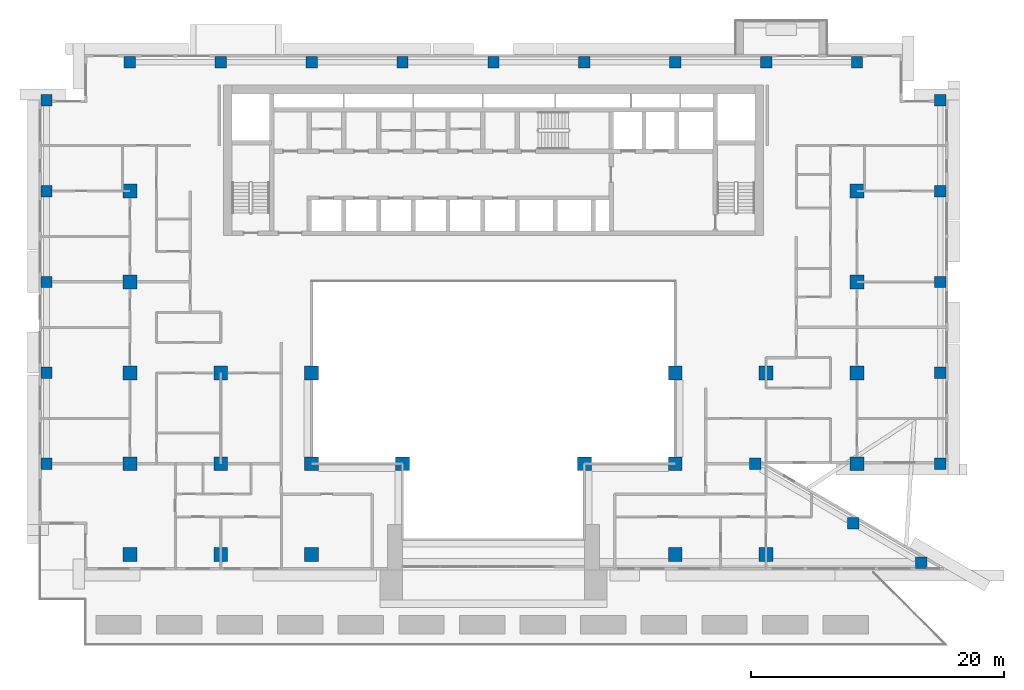
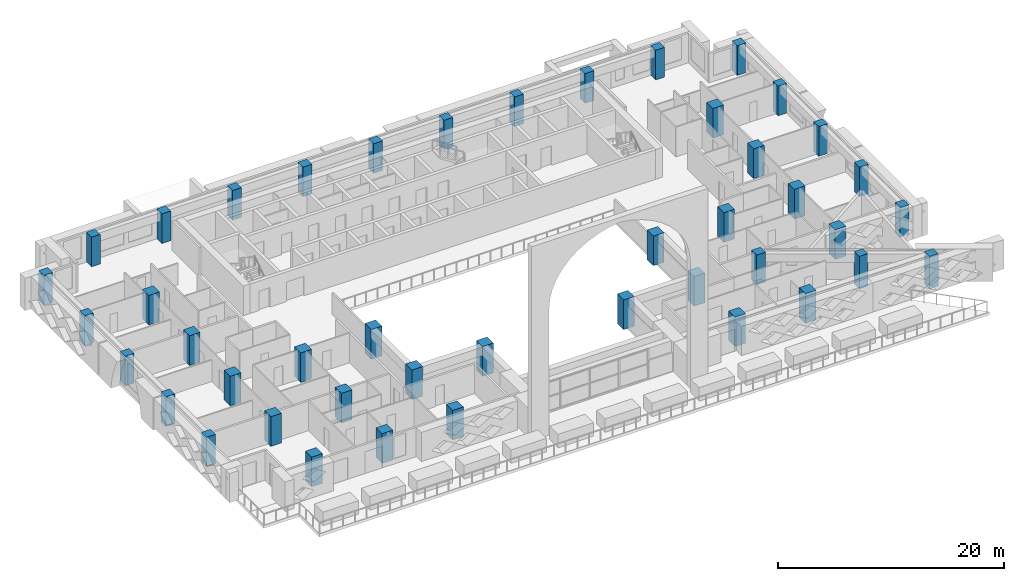
# One storey, part 1 of 17: 44 columns.
"""IFC4 building model written with IfcOpenShell, lengths in metres."""

from ifc_helpers import new_model, si_unit, direction, frame, origin, origin_2d, place, context, subcontext, project, spatial, rectangle, extrude, source, transform, mapped, material, material_profile, profile_set, type_object, element, save


model = new_model("IFC4")

# Units and contexts
model_context = context("Model", 3, precision=1e-05, world=origin(), true_north=direction((0.0, 1.0)))
body_context = subcontext(model_context, "Body", "Model", "MODEL_VIEW")
ifc_project = project(units=[si_unit("LENGTHUNIT", "METRE"), si_unit("AREAUNIT", "SQUARE_METRE"), si_unit("VOLUMEUNIT", "CUBIC_METRE"), si_unit("PLANEANGLEUNIT", "RADIAN"), si_unit("MASSUNIT", "GRAM", prefix="KILO")], contexts=[model_context])

# Site, building, storey
site_placement = place(None, origin())
site = spatial("IfcSite", under=ifc_project, at=site_placement, CompositionType="ELEMENT")
building_placement = place(site_placement, origin())
building = spatial("IfcBuilding", under=site, at=building_placement, Name="Saffron Iwan Residences", CompositionType="ELEMENT")
storey_placement = place(building_placement, frame((0.0, 0.0, 113.0)))
storey = spatial("IfcBuildingStorey", under=building, at=storey_placement, Name="L29", CompositionType="ELEMENT", Elevation=113.0)

# Columns
ifc_material = material(Name="Concrete C50/60", Category="concrete")
ifc_material_profile_1 = material_profile(ifc_material, rectangle(XDim=0.89990234375, YDim=0.89990234375, at=origin_2d()), Name="RC 900x900")
ifc_profile_set_1 = profile_set([ifc_material_profile_1], Name="Concrete C50/60")
column_type_1 = type_object("IfcColumnType", Name="COL RC 900x900 C50/60 3500 HIGH", PredefinedType="COLUMN", material=ifc_profile_set_1)
shared_shape_1 = source(origin(), body_context, "Body", "SweptSolid", [
    extrude(rectangle(XDim=0.89990234375, YDim=0.89990234375, at=origin_2d()), origin(), (0.0, 0.0, 1.0), 3.5),
])
for number, where, z_axis, x_axis, name in (
    (1, (84.276123046875, 40.17431640625, -0.300048828125), (0.0, 0.0, 1.0), (1.0, 0.0, 0.0), "Column C045"),
    (2, (78.897705078125, 43.28173828125, -0.300048828125), (0.0, 0.0, 1.0), (1.0, 0.0, 0.0), "Column C058"),
):
    element("IfcColumn", number, at=place(storey_placement, frame(where, z_axis=z_axis, x_axis=x_axis)), inside=storey, type_object=column_type_1, Name=name, PredefinedType="COLUMN", context=body_context, shape_type="MappedRepresentation", body=[
        mapped(shared_shape_1, transform((0.0, 0.0, 0.0))),
    ])
ifc_material_profile_2 = material_profile(ifc_material, rectangle(XDim=1.10009765625, YDim=1.10009765625, at=origin_2d()), Name="RC 1100x1100")
ifc_profile_set_2 = profile_set([ifc_material_profile_2], Name="Concrete C50/60")
column_type_2 = type_object("IfcColumnType", Name="COL RC 1100x1100 C50/60 3200 HIGH", PredefinedType="COLUMN", material=ifc_profile_set_2)
shared_shape_2 = source(origin(), body_context, "Body", "SweptSolid", [
    extrude(rectangle(XDim=1.10009765625, YDim=1.10009765625, at=origin_2d()), origin(), (0.0, 0.0, 1.0), 3.199951171875),
])
for number, where, z_axis, x_axis, name in (
    (3, (21.60009765625, 40.800048828125, 0.0), (0.0, 0.0, 1.0), (1.0, 0.0, 0.0), "Column C049"),
    (4, (28.800048828125, 40.800048828125, 0.0), (0.0, 0.0, 1.0), (1.0, 0.0, 0.0), "Column C051"),
    (5, (36.0, 40.800048828125, 0.0), (0.0, 0.0, 1.0), (1.0, 0.0, 0.0), "Column C052"),
    (6, (64.800048828125, 40.800048828125, 0.0), (0.0, 0.0, 1.0), (1.0, 0.0, 0.0), "Column C055"),
    (7, (72.0, 40.800048828125, 0.0), (0.0, 0.0, 1.0), (1.0, 0.0, 0.0), "Column C056"),
    (8, (21.60009765625, 48.0, 0.0), (0.0, 0.0, 1.0), (1.0, 0.0, 0.0), "Column C063"),
    (9, (28.800048828125, 48.0, 0.0), (0.0, 0.0, 1.0), (1.0, 0.0, 0.0), "Column C064"),
    (10, (36.0, 48.0, 0.0), (0.0, 0.0, 1.0), (1.0, 0.0, 0.0), "Column C065"),
    (11, (43.199951171875, 48.0, 0.0), (0.0, 0.0, 1.0), (1.0, 0.0, 0.0), "Column C066"),
    (12, (57.60009765625, 48.0, 0.0), (0.0, 0.0, 1.0), (1.0, 0.0, 0.0), "Column C068"),
    (13, (64.800048828125, 48.0, 0.0), (0.0, 0.0, 1.0), (1.0, 0.0, 0.0), "Column C069"),
    (14, (79.199951171875, 48.0, 0.0), (0.0, 0.0, 1.0), (1.0, 0.0, 0.0), "Column C072"),
    (15, (21.60009765625, 55.199951171875, 0.0), (0.0, 0.0, 1.0), (1.0, 0.0, 0.0), "Column C079"),
    (16, (28.800048828125, 55.199951171875, 0.0), (0.0, 0.0, 1.0), (1.0, 0.0, 0.0), "Column C080"),
    (17, (36.0, 55.199951171875, 0.0), (0.0, 0.0, 1.0), (1.0, 0.0, 0.0), "Column C081"),
    (18, (64.800048828125, 55.199951171875, 0.0), (0.0, 0.0, 1.0), (1.0, 0.0, 0.0), "Column C082"),
    (19, (72.0, 55.199951171875, 0.0), (0.0, 0.0, 1.0), (1.0, 0.0, 0.0), "Column C083"),
    (20, (79.199951171875, 55.199951171875, 0.0), (0.0, 0.0, 1.0), (1.0, 0.0, 0.0), "Column C084"),
    (21, (21.60009765625, 62.39990234375, 0.0), (0.0, 0.0, 1.0), (1.0, 0.0, 0.0), "Column C091"),
    (22, (79.199951171875, 62.39990234375, 0.0), (0.0, 0.0, 1.0), (1.0, 0.0, 0.0), "Column C092"),
    (23, (21.60009765625, 69.60009765625, 0.0), (0.0, 0.0, 1.0), (1.0, 0.0, 0.0), "Column C099"),
    (24, (79.199951171875, 69.60009765625, 0.0), (0.0, 0.0, 1.0), (1.0, 0.0, 0.0), "Column C100"),
):
    element("IfcColumn", number, at=place(storey_placement, frame(where, z_axis=z_axis, x_axis=x_axis)), inside=storey, type_object=column_type_2, Name=name, PredefinedType="COLUMN", context=body_context, shape_type="MappedRepresentation", body=[
        mapped(shared_shape_2, transform((0.0, 0.0, 0.0))),
    ])
ifc_material_profile_3 = material_profile(ifc_material, rectangle(XDim=0.89990234375, YDim=0.89990234375, at=origin_2d()), Name="RC 900x900")
ifc_profile_set_3 = profile_set([ifc_material_profile_3], Name="Concrete C50/60")
column_type_3 = type_object("IfcColumnType", Name="COL RC 900x900 C50/60 3200 HIGH", PredefinedType="COLUMN", material=ifc_profile_set_3)
shared_shape_3 = source(origin(), body_context, "Body", "SweptSolid", [
    extrude(rectangle(XDim=0.89990234375, YDim=0.89990234375, at=origin_2d()), origin(), (0.0, 0.0, 1.0), 3.199951171875),
])
for number, where, z_axis, x_axis, name in (
    (25, (15.0, 48.0, 0.0), (0.0, 0.0, 1.0), (1.0, 0.0, 0.0), "Column C061"),
    (26, (71.14990234375, 48.0, 0.0), (0.0, 0.0, 1.0), (1.0, 0.0, 0.0), "Column C070"),
    (27, (85.800048828125, 48.0, 0.0), (0.0, 0.0, 1.0), (1.0, 0.0, 0.0), "Column C074"),
    (28, (15.0, 55.199951171875, 0.0), (0.0, 0.0, 1.0), (1.0, 0.0, 0.0), "Column C077"),
    (29, (85.800048828125, 55.199951171875, 0.0), (0.0, 0.0, 1.0), (1.0, 0.0, 0.0), "Column C086"),
    (30, (15.0, 62.39990234375, 0.0), (0.0, 0.0, 1.0), (1.0, 0.0, 0.0), "Column C089"),
    (31, (85.800048828125, 62.39990234375, 0.0), (0.0, 0.0, 1.0), (1.0, 0.0, 0.0), "Column C094"),
    (32, (15.0, 69.60009765625, 0.0), (0.0, 0.0, 1.0), (1.0, 0.0, 0.0), "Column C097"),
    (33, (85.800048828125, 69.60009765625, 0.0), (0.0, 0.0, 1.0), (1.0, 0.0, 0.0), "Column C102"),
    (34, (15.0, 76.800048828125, 0.0), (0.0, 0.0, 1.0), (1.0, 0.0, 0.0), "Column C105"),
    (35, (85.800048828125, 76.800048828125, 0.0), (0.0, 0.0, 1.0), (1.0, 0.0, 0.0), "Column C110"),
    (36, (21.60009765625, 79.800048828125, 0.0), (0.0, 0.0, 1.0), (1.0, 0.0, 0.0), "Column C113"),
    (37, (28.800048828125, 79.800048828125, 0.0), (0.0, 0.0, 1.0), (1.0, 0.0, 0.0), "Column C115"),
    (38, (36.0, 79.800048828125, 0.0), (0.0, 0.0, 1.0), (1.0, 0.0, 0.0), "Column C116"),
    (39, (43.199951171875, 79.800048828125, 0.0), (0.0, 0.0, 1.0), (1.0, 0.0, 0.0), "Column C117"),
    (40, (50.39990234375, 79.800048828125, 0.0), (0.0, 0.0, 1.0), (1.0, 0.0, 0.0), "Column C118"),
    (41, (57.60009765625, 79.800048828125, 0.0), (0.0, 0.0, 1.0), (1.0, 0.0, 0.0), "Column C119"),
    (42, (64.800048828125, 79.800048828125, 0.0), (0.0, 0.0, 1.0), (1.0, 0.0, 0.0), "Column C120"),
    (43, (72.0, 79.800048828125, 0.0), (0.0, 0.0, 1.0), (1.0, 0.0, 0.0), "Column C121"),
    (44, (79.199951171875, 79.800048828125, 0.0), (0.0, 0.0, 1.0), (1.0, 0.0, 0.0), "Column C123"),
):
    element("IfcColumn", number, at=place(storey_placement, frame(where, z_axis=z_axis, x_axis=x_axis)), inside=storey, type_object=column_type_3, Name=name, PredefinedType="COLUMN", context=body_context, shape_type="MappedRepresentation", body=[
        mapped(shared_shape_3, transform((0.0, 0.0, 0.0))),
    ])

save(model, "model.ifc")
